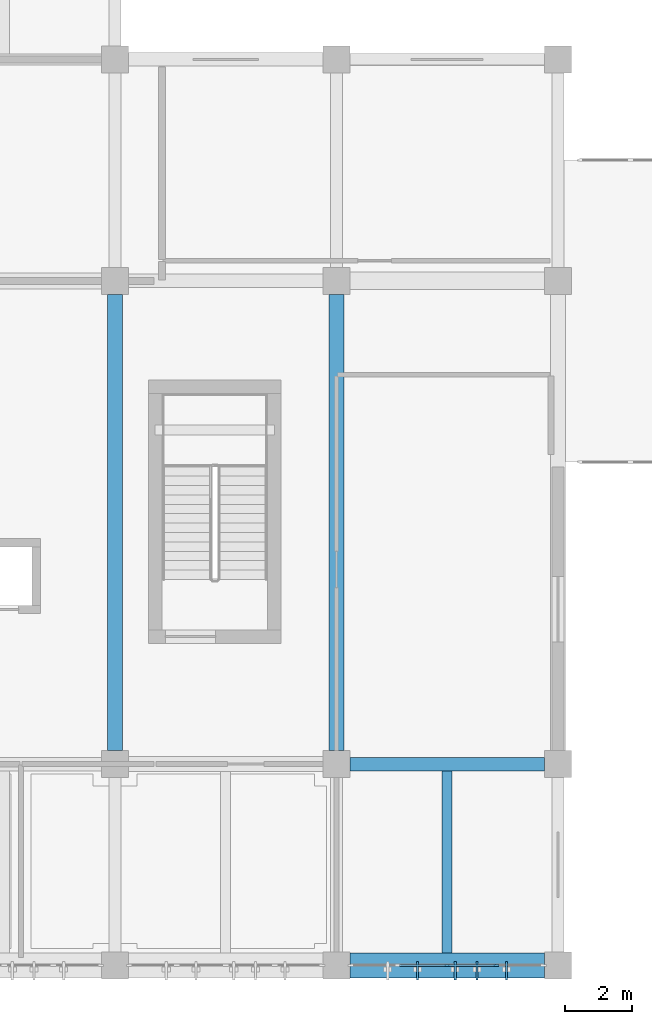
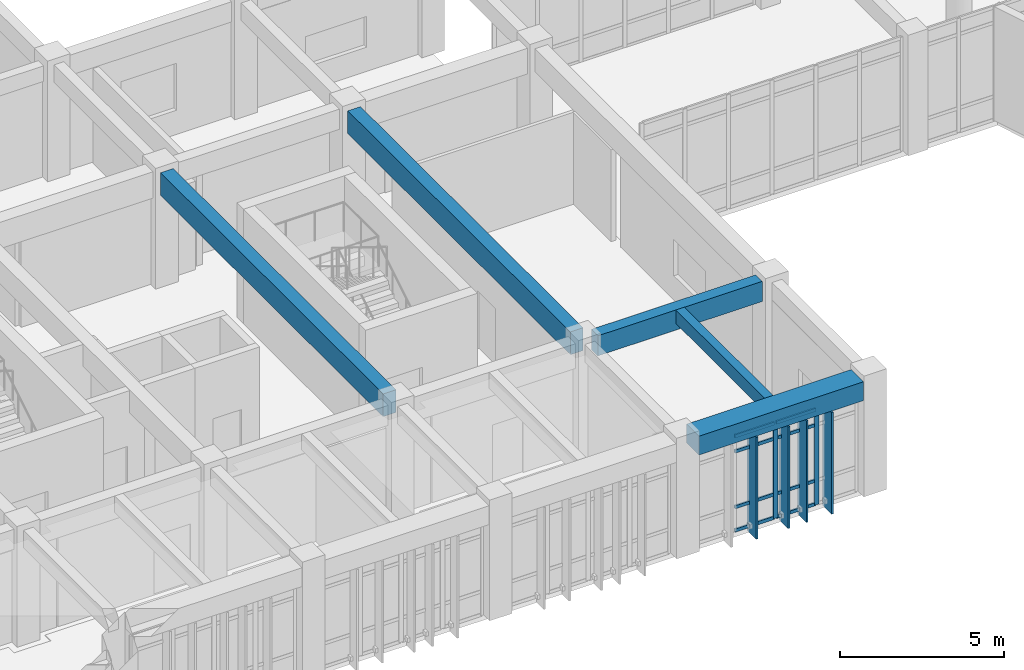
# One storey, part 4 of 54: 14 members, 5 beams, 1 element without a shape of its own.
"""IFC4 building model written with IfcOpenShell, lengths in metres."""

import ifcopenshell
import ifcopenshell.guid

model = None  # the IFC model being written
_history = None  # IfcOwnerHistory: only IFC2X3 demands one
_inside = {}  # id of a spatial element -> (the spatial element, [elements in it])
_under = {}  # id of a project, library or spatial element -> (it, [spatial elements below it])
_declared = {}  # id of a project -> (the project, [libraries it declares])
_typed = {}  # id of a type object -> (the type object, [elements of that type])
_made_of = {}  # id of a material, layer set ... -> (it, [elements and type objects made of it])


def new_model(schema):
    """Start an empty IFC model of exactly this schema.

    Asked for "IFC4X3", IfcOpenShell would pick the latest addendum, in which some entities
    have other attributes; the version numbers below select the first issue.
    IFC2X3 requires an IfcOwnerHistory on every rooted entity: one is made here for all.
    """
    global model, _history
    if schema == "IFC4X3":
        model = ifcopenshell.file(schema_version=(4, 3, 0, 0))
    else:
        model = ifcopenshell.file(schema=schema)
    _inside.clear()
    _under.clear()
    _declared.clear()
    _typed.clear()
    _made_of.clear()
    _history = None
    if model.schema == "IFC2X3":
        org = make("IfcOrganization", Name="unknown")
        user = make(
            "IfcPersonAndOrganization",
            ThePerson=make("IfcPerson", FamilyName="unknown"),
            TheOrganization=org,
        )
        app = make(
            "IfcApplication",
            ApplicationDeveloper=org,
            Version="unknown",
            ApplicationFullName="unknown",
            ApplicationIdentifier="unknown",
        )
        _history = make(
            "IfcOwnerHistory",
            OwningUser=user,
            OwningApplication=app,
            ChangeAction="ADDED",
            CreationDate=0,
        )
    return model


def make(cls, **values):
    """One entity of the class cls with the attributes given. An attribute that is None is left unset."""
    return model.create_entity(
        cls, **{name: value for name, value in values.items() if value is not None}
    )


def rooted(cls, **values):
    """An entity with a GlobalId (a new one), such as an element, a storey or a relation."""
    return make(cls, GlobalId=ifcopenshell.guid.new(), OwnerHistory=_history, **values)


def si_unit(unit_type, name, prefix=None):
    """IfcSIUnit, for example si_unit("LENGTHUNIT", "METRE", prefix="MILLI")."""
    return make("IfcSIUnit", UnitType=unit_type, Prefix=prefix, Name=name)


def assignment(units):
    """IfcUnitAssignment: the units of a project."""
    return None if units is None else make("IfcUnitAssignment", Units=units)


def point(xyz):
    """IfcCartesianPoint."""
    return None if xyz is None else make("IfcCartesianPoint", Coordinates=xyz)


def direction(xyz):
    """IfcDirection."""
    return None if xyz is None else make("IfcDirection", DirectionRatios=xyz)


def frame(location, z_axis=None, x_axis=None):
    """IfcAxis2Placement3D, a coordinate frame: its origin and axes. An axis left out is left unset."""
    return make(
        "IfcAxis2Placement3D",
        Location=point(location),
        Axis=direction(z_axis),
        RefDirection=direction(x_axis),
    )


def frame_2d(location, x_axis=None):
    """IfcAxis2Placement2D, a coordinate frame in the plane: its origin and x axis."""
    return make(
        "IfcAxis2Placement2D", Location=point(location), RefDirection=direction(x_axis)
    )


def origin():
    """The frame at (0, 0, 0) with its axes left unset."""
    return frame((0.0, 0.0, 0.0))


def origin_2d():
    """The frame at (0, 0) in the plane with its x axis left unset."""
    return frame_2d((0.0, 0.0))


def place(relative_to, where):
    """IfcLocalPlacement: puts the frame where relative to a parent placement (None: the world)."""
    return make(
        "IfcLocalPlacement", PlacementRelTo=relative_to, RelativePlacement=where
    )


def context(
    kind, dimensions, precision=None, world=None, true_north=None, identifier=None
):
    """IfcGeometricRepresentationContext, for example the 3D "Model" context."""
    return make(
        "IfcGeometricRepresentationContext",
        ContextIdentifier=identifier,
        ContextType=kind,
        CoordinateSpaceDimension=dimensions,
        Precision=precision,
        WorldCoordinateSystem=world,
        TrueNorth=true_north,
    )


def subcontext(parent, identifier, kind, view, scale=None):
    """IfcGeometricRepresentationSubContext, for example "Body" below "Model"."""
    return make(
        "IfcGeometricRepresentationSubContext",
        ContextIdentifier=identifier,
        ContextType=kind,
        ParentContext=parent,
        TargetScale=scale,
        TargetView=view,
    )


def project(units=None, contexts=None):
    """IfcProject with its units and contexts."""
    return rooted(
        "IfcProject",
        Name="project",
        RepresentationContexts=contexts,
        UnitsInContext=assignment(units),
    )


def spatial(cls, under=None, at=None, **own):
    """A site, building, storey or space (cls), placed at a placement, below another one or the project."""
    s = rooted(cls, ObjectPlacement=at, **own)
    if under is not None:
        _under.setdefault(under.id(), (under, []))[1].append(s)
    return s


def profile(cls, at=None, kind="AREA", **sizes):
    """A parametric profile (cls). Its sizes go by their IFC names, for example OverallWidth=200.0."""
    return make(cls, ProfileType=kind, Position=at, **sizes)


def rectangle(**sizes):
    """IfcRectangleProfileDef."""
    return profile("IfcRectangleProfileDef", **sizes)


def extrude(swept, where, along, depth):
    """IfcExtrudedAreaSolid: the profile swept, set in the frame where, extruded along a direction by depth."""
    return make(
        "IfcExtrudedAreaSolid",
        SweptArea=swept,
        Position=where,
        ExtrudedDirection=direction(along),
        Depth=depth,
    )


def shape(context_of_items, identifier, shape_type, items):
    """IfcShapeRepresentation: the items that make up one representation, for example the "Body"."""
    return make(
        "IfcShapeRepresentation",
        ContextOfItems=context_of_items,
        RepresentationIdentifier=identifier,
        RepresentationType=shape_type,
        Items=items,
    )


def material(Name=None, Category=None):
    """IfcMaterial."""
    return make("IfcMaterial", Name=Name, Category=Category)


def layer(
    of_material, thickness, ventilated=None, Name=None, Category=None, Priority=None
):
    """IfcMaterialLayer: one layer of a wall or slab, of a material (None: an air gap)."""
    return make(
        "IfcMaterialLayer",
        Material=of_material,
        LayerThickness=thickness,
        IsVentilated=ventilated,
        Name=Name,
        Category=Category,
        Priority=Priority,
    )


def layer_set(layers, Name=None):
    """IfcMaterialLayerSet."""
    return make("IfcMaterialLayerSet", MaterialLayers=layers, LayerSetName=Name)


def material_profile(
    of_material, cross_section, Name=None, Category=None, Priority=None
):
    """IfcMaterialProfile: a cross section and its material."""
    return make(
        "IfcMaterialProfile",
        Name=Name,
        Material=of_material,
        Profile=cross_section,
        Priority=Priority,
        Category=Category,
    )


def profile_set(profiles, Name=None, composite=None):
    """IfcMaterialProfileSet."""
    return make(
        "IfcMaterialProfileSet",
        Name=Name,
        MaterialProfiles=profiles,
        CompositeProfile=composite,
    )


def made_of(thing, what):
    """Note that an element or type object is made of a material, layer set ...; save() writes the relation."""
    if what is not None:
        _made_of.setdefault(what.id(), (what, []))[1].append(thing)
    return thing


def type_object(cls, material=None, **own):
    """A type object (cls), such as IfcWallType, which elements share."""
    return made_of(rooted(cls, **own), material)


def element(
    cls,
    number,
    at=None,
    inside=None,
    cuts=None,
    type_object=None,
    material=None,
    context=None,
    identifier="Body",
    shape_type=None,
    held_by="IfcProductDefinitionShape",
    body=None,
    shapes=None,
    **own,
):
    """One element of the class cls, such as IfcWall. Its Tag is "e" and its number.

    at: its placement. inside: the storey or other place that contains it. cuts: it is an
    opening in that element (IfcRelVoidsElement). A single representation is given by context,
    identifier, shape_type and body (its items); several are given by shapes. held_by: the class
    of the entity that holds the representations. save() writes the other relations.
    """
    e = rooted(cls, Tag="e%d" % number, ObjectPlacement=at, **own)
    if body is not None:
        shapes = [shape(context, identifier, shape_type, body)]
    if shapes is not None:
        e.Representation = make(held_by, Representations=shapes)
    if inside is not None:
        _inside.setdefault(inside.id(), (inside, []))[1].append(e)
    if cuts is not None:
        rooted(
            "IfcRelVoidsElement", RelatingBuildingElement=cuts, RelatedOpeningElement=e
        )
    if type_object is not None:
        _typed.setdefault(type_object.id(), (type_object, []))[1].append(e)
    return made_of(e, material)


def aggregate(whole, parts):
    """IfcRelAggregates: a whole, such as a stair, and the parts it consists of."""
    return rooted("IfcRelAggregates", RelatingObject=whole, RelatedObjects=parts)


def save(model, path):
    """Write the relations noted so far, then the file.

    IfcRelAggregates (storeys below a building ...), IfcRelContainedInSpatialStructure (elements
    in a storey), IfcRelDefinesByType, IfcRelAssociatesMaterial and IfcRelDeclares: one each for
    every whole, place, type object, material and project.
    """
    for whole, parts in _under.values():
        aggregate(whole, parts)
    for where, things in _inside.values():
        rooted(
            "IfcRelContainedInSpatialStructure",
            RelatedElements=things,
            RelatingStructure=where,
        )
    for kind, things in _typed.values():
        rooted("IfcRelDefinesByType", RelatedObjects=things, RelatingType=kind)
    for what, things in _made_of.values():
        rooted("IfcRelAssociatesMaterial", RelatedObjects=things, RelatingMaterial=what)
    for by, libraries in _declared.values():
        rooted("IfcRelDeclares", RelatingContext=by, RelatedDefinitions=libraries)
    model.write(path)


model = new_model("IFC4")

# Units and contexts
model_context = context("Model", 3, precision=1e-05, world=origin(), true_north=direction((0.0, 1.0)))
body_context = subcontext(model_context, "Body", "Model", "MODEL_VIEW")
ifc_project = project(units=[si_unit("LENGTHUNIT", "METRE"), si_unit("AREAUNIT", "SQUARE_METRE"), si_unit("VOLUMEUNIT", "CUBIC_METRE"), si_unit("PLANEANGLEUNIT", "RADIAN"), si_unit("MASSUNIT", "GRAM", prefix="KILO")], contexts=[model_context])

# Site, building, storey
site_placement = place(None, origin())
site = spatial("IfcSite", under=ifc_project, at=site_placement, CompositionType="ELEMENT")
building_placement = place(site_placement, origin())
building = spatial("IfcBuilding", under=site, at=building_placement, Name="Miralva Faculty of Natural Sciences", CompositionType="ELEMENT")
storey_placement = place(building_placement, frame((0.0, 0.0, 19.5)))
storey = spatial("IfcBuildingStorey", under=building, at=storey_placement, Name="L04", CompositionType="ELEMENT", Elevation=19.5)

# Beams
ifc_material_1 = material(Name="Concrete C40/50", Category="concrete")
ifc_material_profile_1 = material_profile(ifc_material_1, rectangle(XDim=0.449951171875, YDim=0.85009765625, at=origin_2d()), Name="RC 450x850")
ifc_profile_set_1 = profile_set([ifc_material_profile_1], Name="Concrete C40/50")
beam_type_1 = type_object("IfcBeamType", Name="BM-B01", PredefinedType="BEAM", material=ifc_profile_set_1)
for number, where, z_axis, x_axis, name in (
    (1, (22.800048828125, 9.39990234375, 3.85498046875), (0.0, 1.0, 0.0), (-1.0, 0.0, 0.0), "Girder NS L04-60"),
    (2, (29.39990234375, 9.39990234375, 3.85498046875), (0.0, 1.0, 0.0), (-1.0, 0.0, 0.0), "Girder NS L04-70"),
):
    element("IfcBeam", number, at=place(storey_placement, frame(where, z_axis=z_axis, x_axis=x_axis)), inside=storey, type_object=beam_type_1, Name=name, PredefinedType="BEAM", context=body_context, shape_type="SweptSolid", body=[
        extrude(rectangle(XDim=0.449951171875, YDim=0.85009765625, at=origin_2d()), origin(), (0.0, 0.0, 1.0), 13.60009765625),
    ])
ifc_material_profile_2 = material_profile(ifc_material_1, rectangle(XDim=0.39990234375, YDim=0.75, at=origin_2d()), Name="RC 400x750")
ifc_profile_set_2 = profile_set([ifc_material_profile_2], Name="Concrete C40/50")
beam_type_2 = type_object("IfcBeamType", Name="BM-B03", PredefinedType="BEAM", material=ifc_profile_set_2)
beam_1_placement = place(storey_placement, frame((29.800048828125, 9.0, 3.905029296875), z_axis=(1.0, 0.0, 0.0), x_axis=(0.0, 1.0, 0.0)))
element("IfcBeam", 3, at=beam_1_placement, inside=storey, type_object=beam_type_2, Name="Girder EW L04-10", PredefinedType="BEAM", context=body_context, shape_type="SweptSolid", body=[
    extrude(rectangle(XDim=0.39990234375, YDim=0.75, at=origin_2d()), origin(), (0.0, 0.0, 1.0), 5.800048828125),
])
ifc_material_profile_3 = material_profile(ifc_material_1, rectangle(XDim=0.300048828125, YDim=0.5, at=origin_2d()), Name="RC 300x500")
ifc_profile_set_3 = profile_set([ifc_material_profile_3], Name="Concrete C40/50")
beam_type_3 = type_object("IfcBeamType", Name="BM-J03", PredefinedType="JOIST", material=ifc_profile_set_3)
beam_2_placement = place(storey_placement, frame((32.699951171875, 3.375, 4.030029296875), z_axis=(0.0, 1.0, 0.0), x_axis=(-1.0, 0.0, 0.0)))
element("IfcBeam", 4, at=beam_2_placement, inside=storey, type_object=beam_type_3, Name="Floor joist L04-5", PredefinedType="JOIST", context=body_context, shape_type="SweptSolid", body=[
    extrude(rectangle(XDim=0.300048828125, YDim=0.5, at=origin_2d()), origin(), (0.0, 0.0, 1.0), 5.425048828125),
])
ifc_material_profile_4 = material_profile(ifc_material_1, rectangle(XDim=0.75, YDim=0.699951171875, at=origin_2d()), Name="RC 750x700")
ifc_profile_set_4 = profile_set([ifc_material_profile_4], Name="Concrete C40/50")
beam_type_4 = type_object("IfcBeamType", Name="BM-SP01", PredefinedType="SPANDREL", material=ifc_profile_set_4)
beam_3_placement = place(storey_placement, frame((29.800048828125, 3.0, 3.929931640625), z_axis=(1.0, 0.0, 0.0), x_axis=(0.0, 1.0, 0.0)))
element("IfcBeam", 5, at=beam_3_placement, inside=storey, type_object=beam_type_4, Name="Girder EW L04-5", PredefinedType="SPANDREL", context=body_context, shape_type="SweptSolid", body=[
    extrude(rectangle(XDim=0.75, YDim=0.699951171875, at=origin_2d()), origin(), (0.0, 0.0, 1.0), 5.800048828125),
])

# Curtain wall, members
ifc_material_2 = material(Name="Laminated solar-control glass", Category="glass")
ifc_layer = layer(ifc_material_2, 0.179931640625, Name="CW-TWR-L03")
ifc_layer_set = layer_set([ifc_layer], Name="Laminated solar-control glass")
curtain_wall_type = type_object("IfcCurtainWallType", Name="CW-TWR-L03", PredefinedType="USERDEFINED", material=ifc_layer_set)
curtain_wall_placement = place(storey_placement, origin())
curtain_wall = element("IfcCurtainWall", 6, at=curtain_wall_placement, inside=storey, type_object=curtain_wall_type, Name="Curtain wall CW-14 L04-232", ObjectType="UNITISED CURTAIN WALL", PredefinedType="USERDEFINED")
ifc_material_3 = material(Name="Anodised aluminium", Category="aluminium")
ifc_material_profile_5 = material_profile(ifc_material_3, rectangle(XDim=0.06494140625, YDim=0.159912109375, at=origin_2d()), Name="MULLION 65x160")
ifc_profile_set_5 = profile_set([ifc_material_profile_5], Name="Anodised aluminium")
member_type_1 = type_object("IfcMemberType", Name="CW-M02", PredefinedType="MULLION", material=ifc_profile_set_5)
member_1_placement = place(storey_placement, frame((32.699951171875, 3.0, 0.0), z_axis=(0.0, 0.0, 1.0), x_axis=(0.0, 1.0, 0.0)))
member_1 = element("IfcMember", 7, at=member_1_placement, type_object=member_type_1, Name="CW-14 mullion 3", PredefinedType="MULLION", context=body_context, shape_type="SweptSolid", body=[
    extrude(rectangle(XDim=0.06494140625, YDim=0.159912109375, at=origin_2d()), origin(), (0.0, 0.0, 1.0), 3.574951171875),
])
member_2_placement = place(storey_placement, frame((34.157470703125, 3.0, 0.0), z_axis=(0.0, 0.0, 1.0), x_axis=(0.0, 1.0, 0.0)))
member_2 = element("IfcMember", 8, at=member_2_placement, type_object=member_type_1, Name="CW-14 mullion 4", PredefinedType="MULLION", context=body_context, shape_type="SweptSolid", body=[
    extrude(rectangle(XDim=0.06494140625, YDim=0.159912109375, at=origin_2d()), origin(), (0.0, 0.0, 1.0), 3.574951171875),
])
ifc_material_profile_6 = material_profile(ifc_material_3, rectangle(XDim=0.06005859375, YDim=0.1201171875, at=origin_2d()), Name="TRANSOM 60x120")
ifc_profile_set_6 = profile_set([ifc_material_profile_6], Name="Anodised aluminium")
member_type_2 = type_object("IfcMemberType", Name="CW-T02", PredefinedType="USERDEFINED", material=ifc_profile_set_6)
member_3_placement = place(storey_placement, frame((31.27490234375, 3.0, 0.030029296875), z_axis=(1.0, 0.0, 0.0), x_axis=(0.0, 1.0, 0.0)))
member_3 = element("IfcMember", 9, at=member_3_placement, type_object=member_type_2, Name="CW-14 transom 2.1", ObjectType="TRANSOM", PredefinedType="USERDEFINED", context=body_context, shape_type="SweptSolid", body=[
    extrude(rectangle(XDim=0.06005859375, YDim=0.1201171875, at=origin_2d()), origin(), (0.0, 0.0, 1.0), 1.392578125),
])
member_4_placement = place(storey_placement, frame((31.27490234375, 3.0, 0.89990234375), z_axis=(1.0, 0.0, 0.0), x_axis=(0.0, 1.0, 0.0)))
member_4 = element("IfcMember", 10, at=member_4_placement, type_object=member_type_2, Name="CW-14 transom 2.2", ObjectType="TRANSOM", PredefinedType="USERDEFINED", context=body_context, shape_type="SweptSolid", body=[
    extrude(rectangle(XDim=0.06005859375, YDim=0.1201171875, at=origin_2d()), origin(), (0.0, 0.0, 1.0), 1.392578125),
])
member_5_placement = place(storey_placement, frame((31.27490234375, 3.0, 2.97509765625), z_axis=(1.0, 0.0, 0.0), x_axis=(0.0, 1.0, 0.0)))
member_5 = element("IfcMember", 11, at=member_5_placement, type_object=member_type_2, Name="CW-14 transom 2.3", ObjectType="TRANSOM", PredefinedType="USERDEFINED", context=body_context, shape_type="SweptSolid", body=[
    extrude(rectangle(XDim=0.06005859375, YDim=0.1201171875, at=origin_2d()), origin(), (0.0, 0.0, 1.0), 1.392578125),
])
member_6_placement = place(storey_placement, frame((31.27490234375, 3.0, 3.544921875), z_axis=(1.0, 0.0, 0.0), x_axis=(0.0, 1.0, 0.0)))
member_6 = element("IfcMember", 12, at=member_6_placement, type_object=member_type_2, Name="CW-14 transom 2.4", ObjectType="TRANSOM", PredefinedType="USERDEFINED", context=body_context, shape_type="SweptSolid", body=[
    extrude(rectangle(XDim=0.06005859375, YDim=0.1201171875, at=origin_2d()), origin(), (0.0, 0.0, 1.0), 1.392578125),
])
member_7_placement = place(storey_placement, frame((32.732421875, 3.0, 0.030029296875), z_axis=(1.0, 0.0, 0.0), x_axis=(0.0, 1.0, 0.0)))
member_7 = element("IfcMember", 13, at=member_7_placement, type_object=member_type_2, Name="CW-14 transom 3.1", ObjectType="TRANSOM", PredefinedType="USERDEFINED", context=body_context, shape_type="SweptSolid", body=[
    extrude(rectangle(XDim=0.06005859375, YDim=0.1201171875, at=origin_2d()), origin(), (0.0, 0.0, 1.0), 1.392578125),
])
member_8_placement = place(storey_placement, frame((32.732421875, 3.0, 0.89990234375), z_axis=(1.0, 0.0, 0.0), x_axis=(0.0, 1.0, 0.0)))
member_8 = element("IfcMember", 14, at=member_8_placement, type_object=member_type_2, Name="CW-14 transom 3.2", ObjectType="TRANSOM", PredefinedType="USERDEFINED", context=body_context, shape_type="SweptSolid", body=[
    extrude(rectangle(XDim=0.06005859375, YDim=0.1201171875, at=origin_2d()), origin(), (0.0, 0.0, 1.0), 1.392578125),
])
member_9_placement = place(storey_placement, frame((32.732421875, 3.0, 2.97509765625), z_axis=(1.0, 0.0, 0.0), x_axis=(0.0, 1.0, 0.0)))
member_9 = element("IfcMember", 15, at=member_9_placement, type_object=member_type_2, Name="CW-14 transom 3.3", ObjectType="TRANSOM", PredefinedType="USERDEFINED", context=body_context, shape_type="SweptSolid", body=[
    extrude(rectangle(XDim=0.06005859375, YDim=0.1201171875, at=origin_2d()), origin(), (0.0, 0.0, 1.0), 1.392578125),
])
member_10_placement = place(storey_placement, frame((32.732421875, 3.0, 3.544921875), z_axis=(1.0, 0.0, 0.0), x_axis=(0.0, 1.0, 0.0)))
member_10 = element("IfcMember", 16, at=member_10_placement, type_object=member_type_2, Name="CW-14 transom 3.4", ObjectType="TRANSOM", PredefinedType="USERDEFINED", context=body_context, shape_type="SweptSolid", body=[
    extrude(rectangle(XDim=0.06005859375, YDim=0.1201171875, at=origin_2d()), origin(), (0.0, 0.0, 1.0), 1.392578125),
])
aggregate(curtain_wall, [member_1, member_2, member_3, member_4, member_5, member_6, member_7, member_8, member_9, member_10])

# Members
ifc_material_profile_7 = material_profile(ifc_material_3, rectangle(XDim=0.06494140625, YDim=0.550048828125, at=origin_2d()), Name="FIN 550x65")
ifc_profile_set_7 = profile_set([ifc_material_profile_7], Name="Anodised aluminium")
member_type_3 = type_object("IfcMemberType", Name="MEM-SF03", PredefinedType="USERDEFINED", material=ifc_profile_set_7)
for number, where, z_axis, x_axis, name in (
    (17, (31.81396484375, 2.840087890625, -0.219970703125), (0.0, 0.0, 1.0), (1.0, 0.0, 0.0), "Solar shading fin SF-03 L04-313"),
    (18, (32.93994140625, 2.840087890625, -0.219970703125), (0.0, 0.0, 1.0), (1.0, 0.0, 0.0), "Solar shading fin SF-03 L04-314"),
    (19, (33.5859375, 2.840087890625, -0.219970703125), (0.0, 0.0, 1.0), (1.0, 0.0, 0.0), "Solar shading fin SF-03 L04-315"),
    (20, (34.471923828125, 2.840087890625, -0.219970703125), (0.0, 0.0, 1.0), (1.0, 0.0, 0.0), "Solar shading fin SF-03 L04-316"),
):
    element("IfcMember", number, at=place(storey_placement, frame(where, z_axis=z_axis, x_axis=x_axis)), inside=storey, type_object=member_type_3, Name=name, ObjectType="SUNSHADE", PredefinedType="USERDEFINED", context=body_context, shape_type="SweptSolid", body=[
        extrude(rectangle(XDim=0.06494140625, YDim=0.550048828125, at=origin_2d()), origin(), (0.0, 0.0, 1.0), 3.794921875),
    ])

save(model, "model.ifc")
